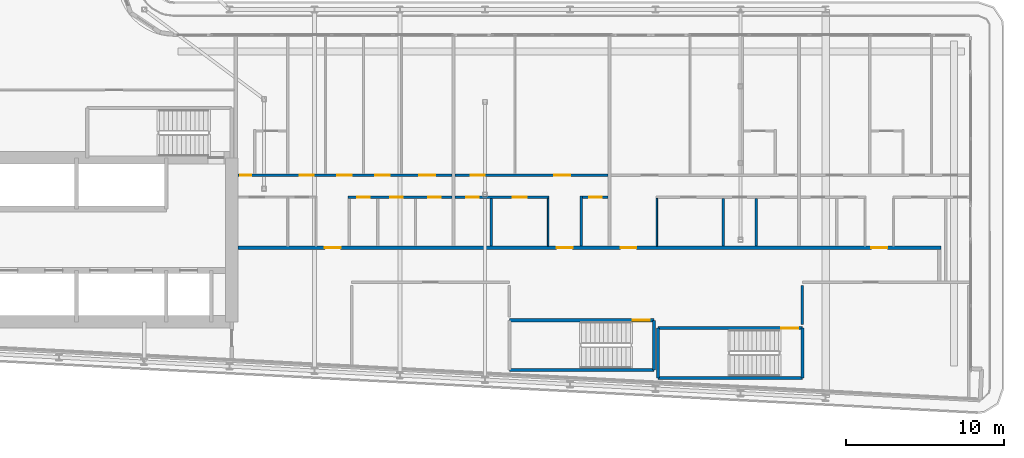
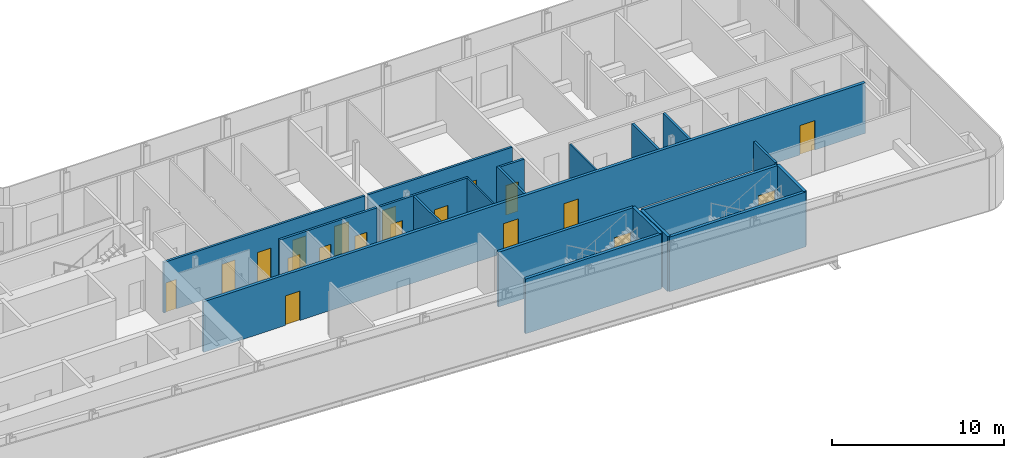
# One storey, part 18 of 30: 20 walls, 19 doors, 19 openings.
"""IFC4 building model written with IfcOpenShell, lengths in metres."""

from ifc_helpers import new_model, si_unit, direction, frame, frame_2d, origin, place, context, subcontext, project, spatial, rectangle, extrude, source, transform, mapped, material, layer, layer_set, type_object, element, fill, save


model = new_model("IFC4")

# Units and contexts
model_context = context("Model", 3, precision=1e-05, world=origin(), true_north=direction((0.0, 1.0)))
body_context = subcontext(model_context, "Body", "Model", "MODEL_VIEW")
ifc_project = project(units=[si_unit("LENGTHUNIT", "METRE"), si_unit("AREAUNIT", "SQUARE_METRE"), si_unit("VOLUMEUNIT", "CUBIC_METRE"), si_unit("PLANEANGLEUNIT", "RADIAN"), si_unit("MASSUNIT", "GRAM", prefix="KILO")], contexts=[model_context])

# Site, building, storey
site_placement = place(None, origin())
site = spatial("IfcSite", under=ifc_project, at=site_placement, CompositionType="ELEMENT")
building_placement = place(site_placement, origin())
building = spatial("IfcBuilding", under=site, at=building_placement, Name="Kheshtan School and Residences Tower", CompositionType="ELEMENT")
storey_placement = place(building_placement, frame((0.0, 0.0, 195.5)))
storey = spatial("IfcBuildingStorey", under=building, at=storey_placement, Name="L46", CompositionType="ELEMENT", Elevation=195.5)

# Wall, openings, doors
ifc_material_1 = material(Name="Gypsum board on steel studs with fire boards", Category="steel")
ifc_layer_1 = layer(ifc_material_1, 0.199951171875)
ifc_layer_set_1 = layer_set([ifc_layer_1], Name="Corridor wall 200")
wall_type_1 = type_object("IfcWallType", Name="Corridor wall 200", PredefinedType="PARTITIONING", material=ifc_layer_set_1)
wall_1_placement = place(storey_placement, frame((53.549072265625, 30.5, 0.0), z_axis=(0.0, 0.0, 1.0), x_axis=(1.0, 0.0, 0.0)))
wall_1 = element("IfcWall", 1, at=wall_1_placement, inside=storey, type_object=wall_type_1, Name="Partition L46-032", PredefinedType="PARTITIONING", context=body_context, shape_type="SweptSolid", body=[
    extrude(rectangle(XDim=44.551025390625, YDim=0.199951171875, at=frame_2d((22.275390625, 0.0))), origin(), (0.0, 0.0, 1.0), 3.60009765625),
])
opening_1_placement = place(wall_1_placement, frame((5.5009765625, 0.0, 0.0)))
opening_1 = element("IfcOpeningElement", 2, at=opening_1_placement, cuts=wall_1, Name="Opening D46-006", PredefinedType="OPENING", context=body_context, shape_type="SweptSolid", body=[
    extrude(rectangle(XDim=1.0, YDim=2.10009765625, at=frame_2d((0.5, 1.050048828125))), frame((0.0, 0.10986328125, 0.0), z_axis=(0.0, -1.0, 0.0), x_axis=(1.0, 0.0, 0.0)), (0.0, 0.0, 1.0), 0.219970703125),
])
opening_2_placement = place(wall_1_placement, frame((20.200927734375, 0.0, 0.0)))
opening_2 = element("IfcOpeningElement", 3, at=opening_2_placement, cuts=wall_1, Name="Opening D46-015", PredefinedType="OPENING", context=body_context, shape_type="SweptSolid", body=[
    extrude(rectangle(XDim=1.0, YDim=2.10009765625, at=frame_2d((0.5, 1.050048828125))), frame((0.0, 0.10986328125, 0.0), z_axis=(0.0, -1.0, 0.0), x_axis=(1.0, 0.0, 0.0)), (0.0, 0.0, 1.0), 0.219970703125),
])
opening_3_placement = place(wall_1_placement, frame((24.2509765625, 0.0, 0.0)))
opening_3 = element("IfcOpeningElement", 4, at=opening_3_placement, cuts=wall_1, Name="Opening D46-022", PredefinedType="OPENING", context=body_context, shape_type="SweptSolid", body=[
    extrude(rectangle(XDim=1.0, YDim=2.10009765625, at=frame_2d((0.5, 1.050048828125))), frame((0.0, 0.10986328125, 0.0), z_axis=(0.0, -1.0, 0.0), x_axis=(1.0, 0.0, 0.0)), (0.0, 0.0, 1.0), 0.219970703125),
])
opening_4_placement = place(wall_1_placement, frame((40.15087890625, 0.0, 0.0)))
opening_4 = element("IfcOpeningElement", 5, at=opening_4_placement, cuts=wall_1, Name="Opening D46-030", PredefinedType="OPENING", context=body_context, shape_type="SweptSolid", body=[
    extrude(rectangle(XDim=1.0, YDim=2.10009765625, at=frame_2d((0.5, 1.050048828125))), frame((0.0, 0.10986328125, 0.0), z_axis=(0.0, -1.0, 0.0), x_axis=(1.0, 0.0, 0.0)), (0.0, 0.0, 1.0), 0.219970703125),
])
ifc_material_2 = material(Name="Steel-framed fire-resisting door leaf", Category="steel")
door_type_1 = type_object("IfcDoorType", Name="Fire door FD30S 1000 x 2100", OperationType="SINGLE_SWING_LEFT", PredefinedType="DOOR", material=ifc_material_2)
shared_shape_1 = source(origin(), body_context, "Body", "SweptSolid", [
    extrude(rectangle(XDim=1.0, YDim=2.10009765625, at=frame_2d((0.5, 1.050048828125))), frame((0.0, 0.02490234375, 0.0), z_axis=(0.0, -1.0, 0.0), x_axis=(1.0, 0.0, 0.0)), (0.0, 0.0, 1.0), 0.050048828125),
])
door_1_placement = place(opening_1_placement, origin())
door_1 = element("IfcDoor", 6, at=door_1_placement, inside=storey, type_object=door_type_1, Name="Door D46-006", OperationType="SINGLE_SWING_LEFT", OverallHeight=2.10009765625, OverallWidth=1.0, PredefinedType="DOOR", context=body_context, shape_type="MappedRepresentation", body=[
    mapped(shared_shape_1, transform((0.0, 0.0, 0.0), x_axis=(1.0, 0.0, 0.0), y_axis=(0.0, 1.0, 0.0), z_axis=(0.0, 0.0, 1.0), scale=1.0)),
])
fill(opening_1, door_1)
door_2_placement = place(opening_2_placement, origin())
door_2 = element("IfcDoor", 7, at=door_2_placement, inside=storey, type_object=door_type_1, Name="Door D46-015", OperationType="SINGLE_SWING_RIGHT", OverallHeight=2.10009765625, OverallWidth=1.0, PredefinedType="DOOR", context=body_context, shape_type="MappedRepresentation", body=[
    mapped(shared_shape_1, transform((0.0, 0.0, 0.0), x_axis=(1.0, 0.0, 0.0), y_axis=(0.0, 1.0, 0.0), z_axis=(0.0, 0.0, 1.0), scale=1.0)),
])
fill(opening_2, door_2)
door_3_placement = place(opening_3_placement, origin())
door_3 = element("IfcDoor", 8, at=door_3_placement, inside=storey, type_object=door_type_1, Name="Door D46-022", OperationType="SINGLE_SWING_LEFT", OverallHeight=2.10009765625, OverallWidth=1.0, PredefinedType="DOOR", context=body_context, shape_type="MappedRepresentation", body=[
    mapped(shared_shape_1, transform((0.0, 0.0, 0.0), x_axis=(1.0, 0.0, 0.0), y_axis=(0.0, 1.0, 0.0), z_axis=(0.0, 0.0, 1.0), scale=1.0)),
])
fill(opening_3, door_3)
door_4_placement = place(opening_4_placement, origin())
door_4 = element("IfcDoor", 9, at=door_4_placement, inside=storey, type_object=door_type_1, Name="Door D46-030", OperationType="SINGLE_SWING_RIGHT", OverallHeight=2.10009765625, OverallWidth=1.0, PredefinedType="DOOR", context=body_context, shape_type="MappedRepresentation", body=[
    mapped(shared_shape_1, transform((0.0, 0.0, 0.0), x_axis=(1.0, 0.0, 0.0), y_axis=(0.0, 1.0, 0.0), z_axis=(0.0, 0.0, 1.0), scale=1.0)),
])
fill(opening_4, door_4)

# Walls
ifc_material_3 = material(Name="Gypsum board on steel studs", Category="steel")
ifc_layer_2 = layer(ifc_material_3, 0.10009765625)
ifc_layer_set_2 = layer_set([ifc_layer_2], Name="Gypsum partition 100")
wall_type_2 = type_object("IfcWallType", Name="Gypsum partition 100", PredefinedType="PARTITIONING", material=ifc_layer_set_2)
for number, where, z_axis, x_axis, name in (
    (10, (73.199951171875, 30.60009765625, 0.0), (0.0, 0.0, 1.0), (0.0, 1.0, 0.0), "Partition L46-052"),
    (11, (80.10009765625, 30.60009765625, 0.0), (0.0, 0.0, 1.0), (0.0, 1.0, 0.0), "Partition L46-058"),
):
    element("IfcWall", number, at=place(storey_placement, frame(where, z_axis=z_axis, x_axis=x_axis)), inside=storey, type_object=wall_type_2, Name=name, PredefinedType="PARTITIONING", context=body_context, shape_type="SweptSolid", body=[
        extrude(rectangle(XDim=3.02490234375, YDim=0.10009765625, at=frame_2d((1.512451171875, 0.0))), origin(), (0.0, 0.0, 1.0), 3.60009765625),
    ])
ifc_material_4 = material(Name="Fire-board shaft wall system")
ifc_layer_3 = layer(ifc_material_4, 0.14990234375)
ifc_layer_set_3 = layer_set([ifc_layer_3], Name="Service room wall 150")
wall_type_3 = type_object("IfcWallType", Name="Service room wall 150", PredefinedType="PARTITIONING", material=ifc_layer_set_3)
wall_2_placement = place(storey_placement, frame((89.320068359375, 25.6201171875, 0.0), z_axis=(0.0, 0.0, 1.0), x_axis=(0.0, 1.0, 0.0)))
element("IfcWall", 12, at=wall_2_placement, inside=storey, type_object=wall_type_3, Name="Service room wall", PredefinedType="PARTITIONING", context=body_context, shape_type="SweptSolid", body=[
    extrude(rectangle(XDim=2.48486328125, YDim=0.14990234375, at=frame_2d((1.242431640625, 0.0))), origin(), (0.0, 0.0, 1.0), 3.89990234375),
])
ifc_material_5 = material(Name="Concrete C40/50", Category="concrete")
ifc_layer_4 = layer(ifc_material_5, 0.199951171875)
ifc_layer_set_4 = layer_set([ifc_layer_4], Name="Stair enclosure wall 200 Concrete C40/50")
wall_type_4 = type_object("IfcWallType", Name="Stair enclosure wall 200 Concrete C40/50", PredefinedType="SHEAR", material=ifc_layer_set_4)
wall_3_placement = place(storey_placement, frame((80.159912109375, 22.25, 0.0), z_axis=(0.0, 0.0, 1.0), x_axis=(1.0, 0.0, 0.0)))
element("IfcWall", 13, at=wall_3_placement, inside=storey, type_object=wall_type_4, Name="Stair enclosure wall ST4", PredefinedType="SHEAR", context=body_context, shape_type="SweptSolid", body=[
    extrude(rectangle(XDim=9.16015625, YDim=0.199951171875, at=frame_2d((4.580078125, 0.0))), origin(), (0.0, 0.0, 1.0), 3.89990234375),
])

# Wall, opening, door
wall_4_placement = place(storey_placement, frame((80.159912109375, 25.39990234375, 0.0), z_axis=(0.0, 0.0, 1.0), x_axis=(1.0, 0.0, 0.0)))
wall_4 = element("IfcWall", 14, at=wall_4_placement, inside=storey, type_object=wall_type_4, Name="Stair enclosure wall ST4", PredefinedType="SHEAR", context=body_context, shape_type="SweptSolid", body=[
    extrude(rectangle(XDim=9.16015625, YDim=0.199951171875, at=frame_2d((4.580078125, 0.0))), origin(), (0.0, 0.0, 1.0), 3.89990234375),
])
opening_5_placement = place(wall_4_placement, frame((7.81005859375, 0.0, 0.0)))
opening_5 = element("IfcOpeningElement", 15, at=opening_5_placement, cuts=wall_4, Name="Opening ST4D", PredefinedType="OPENING", context=body_context, shape_type="SweptSolid", body=[
    extrude(rectangle(XDim=1.10009765625, YDim=2.199951171875, at=frame_2d((0.550048828125, 1.10009765625))), frame((0.0, 0.10986328125, 0.0), z_axis=(0.0, -1.0, 0.0), x_axis=(1.0, 0.0, 0.0)), (0.0, 0.0, 1.0), 0.219970703125),
])
ifc_material_6 = material(Name="Steel door leaf, galvanised", Category="steel")
door_type_2 = type_object("IfcDoorType", Name="Stair door 1100 steel 90 min", OperationType="SINGLE_SWING_LEFT", PredefinedType="DOOR", material=ifc_material_6)
shared_shape_2 = source(origin(), body_context, "Body", "SweptSolid", [
    extrude(rectangle(XDim=1.10009765625, YDim=2.199951171875, at=frame_2d((0.550048828125, 1.10009765625))), frame((0.0, 0.02490234375, 0.0), z_axis=(0.0, -1.0, 0.0), x_axis=(1.0, 0.0, 0.0)), (0.0, 0.0, 1.0), 0.050048828125),
])
door_5_placement = place(opening_5_placement, origin())
door_5 = element("IfcDoor", 16, at=door_5_placement, inside=storey, type_object=door_type_2, Name="Stair ST4 door", OperationType="SINGLE_SWING_LEFT", OverallHeight=2.199951171875, OverallWidth=1.10009765625, PredefinedType="DOOR", context=body_context, shape_type="MappedRepresentation", body=[
    mapped(shared_shape_2, transform((0.0, 0.0, 0.0), x_axis=(1.0, 0.0, 0.0), y_axis=(0.0, 1.0, 0.0), z_axis=(0.0, 0.0, 1.0), scale=1.0)),
])
fill(opening_5, door_5)

# Walls
for number, where, z_axis, x_axis, name in (
    (17, (80.159912109375, 22.25, 0.0), (0.0, 0.0, 1.0), (0.0, 1.0, 0.0), "Stair enclosure wall ST4"),
    (18, (89.320068359375, 22.25, 0.0), (0.0, 0.0, 1.0), (0.0, 1.0, 0.0), "Stair enclosure wall ST4"),
):
    element("IfcWall", number, at=place(storey_placement, frame(where, z_axis=z_axis, x_axis=x_axis)), inside=storey, type_object=wall_type_4, Name=name, PredefinedType="SHEAR", context=body_context, shape_type="SweptSolid", body=[
        extrude(rectangle(XDim=3.14990234375, YDim=0.199951171875, at=frame_2d((1.574951171875, 0.0))), origin(), (0.0, 0.0, 1.0), 3.89990234375),
    ])
wall_5_placement = place(storey_placement, frame((70.75, 22.75, 0.0), z_axis=(0.0, 0.0, 1.0), x_axis=(1.0, 0.0, 0.0)))
element("IfcWall", 19, at=wall_5_placement, inside=storey, type_object=wall_type_4, Name="Stair enclosure wall ST5", PredefinedType="SHEAR", context=body_context, shape_type="SweptSolid", body=[
    extrude(rectangle(XDim=9.159912109375, YDim=0.199951171875, at=frame_2d((4.580078125, 0.0))), origin(), (0.0, 0.0, 1.0), 3.89990234375),
])

# Wall, opening, door
wall_6_placement = place(storey_placement, frame((70.75, 25.89990234375, 0.0), z_axis=(0.0, 0.0, 1.0), x_axis=(1.0, 0.0, 0.0)))
wall_6 = element("IfcWall", 20, at=wall_6_placement, inside=storey, type_object=wall_type_4, Name="Stair enclosure wall ST5", PredefinedType="SHEAR", context=body_context, shape_type="SweptSolid", body=[
    extrude(rectangle(XDim=9.159912109375, YDim=0.199951171875, at=frame_2d((4.580078125, 0.0))), origin(), (0.0, 0.0, 1.0), 3.89990234375),
])
opening_6_placement = place(wall_6_placement, frame((7.81005859375, 0.0, 0.0)))
opening_6 = element("IfcOpeningElement", 21, at=opening_6_placement, cuts=wall_6, Name="Opening ST5D", PredefinedType="OPENING", context=body_context, shape_type="SweptSolid", body=[
    extrude(rectangle(XDim=1.10009765625, YDim=2.199951171875, at=frame_2d((0.550048828125, 1.10009765625))), frame((0.0, 0.10986328125, 0.0), z_axis=(0.0, -1.0, 0.0), x_axis=(1.0, 0.0, 0.0)), (0.0, 0.0, 1.0), 0.219970703125),
])
door_6_placement = place(opening_6_placement, origin())
door_6 = element("IfcDoor", 22, at=door_6_placement, inside=storey, type_object=door_type_2, Name="Stair ST5 door", OperationType="SINGLE_SWING_LEFT", OverallHeight=2.199951171875, OverallWidth=1.10009765625, PredefinedType="DOOR", context=body_context, shape_type="MappedRepresentation", body=[
    mapped(shared_shape_2, transform((0.0, 0.0, 0.0), x_axis=(1.0, 0.0, 0.0), y_axis=(0.0, 1.0, 0.0), z_axis=(0.0, 0.0, 1.0), scale=1.0)),
])
fill(opening_6, door_6)

# Wall
wall_7_placement = place(storey_placement, frame((79.909912109375, 22.75, 0.0), z_axis=(0.0, 0.0, 1.0), x_axis=(0.0, 1.0, 0.0)))
element("IfcWall", 23, at=wall_7_placement, inside=storey, type_object=wall_type_4, Name="Stair enclosure wall ST5", PredefinedType="SHEAR", context=body_context, shape_type="SweptSolid", body=[
    extrude(rectangle(XDim=3.14990234375, YDim=0.199951171875, at=frame_2d((1.574951171875, 0.0))), origin(), (0.0, 0.0, 1.0), 3.89990234375),
])

# Wall, openings, doors
ifc_material_7 = material(Name="Moisture-resistant gypsum board on steel studs", Category="steel")
ifc_layer_5 = layer(ifc_material_7, 0.14990234375)
ifc_layer_set_5 = layer_set([ifc_layer_5], Name="Wet-room partition 150")
wall_type_5 = type_object("IfcWallType", Name="Wet-room partition 150", PredefinedType="PARTITIONING", material=ifc_layer_set_5)
wall_8_placement = place(storey_placement, frame((53.549072265625, 35.10009765625, 0.0), z_axis=(0.0, 0.0, 1.0), x_axis=(1.0, 0.0, 0.0)))
wall_8 = element("IfcWall", 24, at=wall_8_placement, inside=storey, type_object=wall_type_5, Name="Partition L46-034", PredefinedType="PARTITIONING", context=body_context, shape_type="SweptSolid", body=[
    extrude(rectangle(XDim=13.551025390625, YDim=0.14990234375, at=frame_2d((6.775390625, 0.0))), origin(), (0.0, 0.0, 1.0), 3.60009765625),
])
opening_7_placement = place(wall_8_placement, frame((3.90087890625, 0.0, 0.0)))
opening_7 = element("IfcOpeningElement", 25, at=opening_7_placement, cuts=wall_8, Name="Opening D46-003", PredefinedType="OPENING", context=body_context, shape_type="SweptSolid", body=[
    extrude(rectangle(XDim=0.89990234375, YDim=2.10009765625, at=frame_2d((0.449951171875, 1.050048828125))), frame((0.0, 0.0849609375, 0.0), z_axis=(0.0, -1.0, 0.0), x_axis=(1.0, 0.0, 0.0)), (0.0, 0.0, 1.0), 0.169921875),
])
opening_8_placement = place(wall_8_placement, frame((8.700927734375, 0.0, 0.0)))
opening_8 = element("IfcOpeningElement", 26, at=opening_8_placement, cuts=wall_8, Name="Opening D46-004", PredefinedType="OPENING", context=body_context, shape_type="SweptSolid", body=[
    extrude(rectangle(XDim=0.89990234375, YDim=2.10009765625, at=frame_2d((0.449951171875, 1.050048828125))), frame((0.0, 0.0849609375, 0.0), z_axis=(0.0, -1.0, 0.0), x_axis=(1.0, 0.0, 0.0)), (0.0, 0.0, 1.0), 0.169921875),
])
opening_9_placement = place(wall_8_placement, frame((11.5009765625, 0.0, 0.0)))
opening_9 = element("IfcOpeningElement", 27, at=opening_9_placement, cuts=wall_8, Name="Opening D46-008", PredefinedType="OPENING", context=body_context, shape_type="SweptSolid", body=[
    extrude(rectangle(XDim=1.0, YDim=2.10009765625, at=frame_2d((0.5, 1.050048828125))), frame((0.0, 0.0849609375, 0.0), z_axis=(0.0, -1.0, 0.0), x_axis=(1.0, 0.0, 0.0)), (0.0, 0.0, 1.0), 0.169921875),
])
opening_10_placement = place(wall_8_placement, frame((6.301025390625, 0.0, 0.0)))
opening_10 = element("IfcOpeningElement", 28, at=opening_10_placement, cuts=wall_8, Name="Opening D46-009", PredefinedType="OPENING", context=body_context, shape_type="SweptSolid", body=[
    extrude(rectangle(XDim=0.89990234375, YDim=2.10009765625, at=frame_2d((0.449951171875, 1.050048828125))), frame((0.0, 0.0849609375, 0.0), z_axis=(0.0, -1.0, 0.0), x_axis=(1.0, 0.0, 0.0)), (0.0, 0.0, 1.0), 0.169921875),
])
opening_11_placement = place(wall_8_placement, frame((0.14990234375, 0.0, 0.0)))
opening_11 = element("IfcOpeningElement", 29, at=opening_11_placement, cuts=wall_8, Name="Opening D46-010", PredefinedType="OPENING", context=body_context, shape_type="SweptSolid", body=[
    extrude(rectangle(XDim=0.699951171875, YDim=2.10009765625, at=frame_2d((0.35009765625, 1.050048828125))), frame((0.0, 0.0849609375, 0.0), z_axis=(0.0, -1.0, 0.0), x_axis=(1.0, 0.0, 0.0)), (0.0, 0.0, 1.0), 0.169921875),
])
ifc_material_8 = material(Name="Veneered timber door leaf", Category="wood")
door_type_3 = type_object("IfcDoorType", Name="Door 1000 x 2100", OperationType="SINGLE_SWING_LEFT", PredefinedType="DOOR", material=ifc_material_8)
shared_shape_3 = source(origin(), body_context, "Body", "SweptSolid", [
    extrude(rectangle(XDim=1.0, YDim=2.10009765625, at=frame_2d((0.5, 1.050048828125))), frame((0.0, 0.02490234375, 0.0), z_axis=(0.0, -1.0, 0.0), x_axis=(1.0, 0.0, 0.0)), (0.0, 0.0, 1.0), 0.050048828125),
])
door_7_placement = place(opening_9_placement, origin())
door_7 = element("IfcDoor", 30, at=door_7_placement, inside=storey, type_object=door_type_3, Name="Door D46-008", OperationType="SINGLE_SWING_LEFT", OverallHeight=2.10009765625, OverallWidth=1.0, PredefinedType="DOOR", context=body_context, shape_type="MappedRepresentation", body=[
    mapped(shared_shape_3, transform((0.0, 0.0, 0.0), x_axis=(1.0, 0.0, 0.0), y_axis=(0.0, 1.0, 0.0), z_axis=(0.0, 0.0, 1.0), scale=1.0)),
])
fill(opening_9, door_7)
door_type_4 = type_object("IfcDoorType", Name="Door 900 x 2100", OperationType="SINGLE_SWING_LEFT", PredefinedType="DOOR", material=ifc_material_8)
shared_shape_4 = source(origin(), body_context, "Body", "SweptSolid", [
    extrude(rectangle(XDim=0.89990234375, YDim=2.10009765625, at=frame_2d((0.449951171875, 1.050048828125))), frame((0.0, 0.02490234375, 0.0), z_axis=(0.0, -1.0, 0.0), x_axis=(1.0, 0.0, 0.0)), (0.0, 0.0, 1.0), 0.050048828125),
])
door_8_placement = place(opening_7_placement, origin())
door_8 = element("IfcDoor", 31, at=door_8_placement, inside=storey, type_object=door_type_4, Name="Door D46-003", OperationType="SINGLE_SWING_LEFT", OverallHeight=2.10009765625, OverallWidth=0.89990234375, PredefinedType="DOOR", context=body_context, shape_type="MappedRepresentation", body=[
    mapped(shared_shape_4, transform((0.0, 0.0, 0.0), x_axis=(1.0, 0.0, 0.0), y_axis=(0.0, 1.0, 0.0), z_axis=(0.0, 0.0, 1.0), scale=1.0)),
])
fill(opening_7, door_8)
door_9_placement = place(opening_8_placement, origin())
door_9 = element("IfcDoor", 32, at=door_9_placement, inside=storey, type_object=door_type_4, Name="Door D46-004", OperationType="SINGLE_SWING_LEFT", OverallHeight=2.10009765625, OverallWidth=0.89990234375, PredefinedType="DOOR", context=body_context, shape_type="MappedRepresentation", body=[
    mapped(shared_shape_4, transform((0.0, 0.0, 0.0), x_axis=(1.0, 0.0, 0.0), y_axis=(0.0, 1.0, 0.0), z_axis=(0.0, 0.0, 1.0), scale=1.0)),
])
fill(opening_8, door_9)
door_10_placement = place(opening_10_placement, origin())
door_10 = element("IfcDoor", 33, at=door_10_placement, inside=storey, type_object=door_type_4, Name="Door D46-009", OperationType="SINGLE_SWING_LEFT", OverallHeight=2.10009765625, OverallWidth=0.89990234375, PredefinedType="DOOR", context=body_context, shape_type="MappedRepresentation", body=[
    mapped(shared_shape_4, transform((0.0, 0.0, 0.0), x_axis=(1.0, 0.0, 0.0), y_axis=(0.0, 1.0, 0.0), z_axis=(0.0, 0.0, 1.0), scale=1.0)),
])
fill(opening_10, door_10)
door_type_5 = type_object("IfcDoorType", Name="Door 700 x 2100", OperationType="SINGLE_SWING_LEFT", PredefinedType="DOOR", material=ifc_material_8)
shared_shape_5 = source(origin(), body_context, "Body", "SweptSolid", [
    extrude(rectangle(XDim=0.699951171875, YDim=2.10009765625, at=frame_2d((0.35009765625, 1.050048828125))), frame((0.0, 0.02490234375, 0.0), z_axis=(0.0, -1.0, 0.0), x_axis=(1.0, 0.0, 0.0)), (0.0, 0.0, 1.0), 0.050048828125),
])
door_11_placement = place(opening_11_placement, origin())
door_11 = element("IfcDoor", 34, at=door_11_placement, inside=storey, type_object=door_type_5, Name="Door D46-010", OperationType="SINGLE_SWING_RIGHT", OverallHeight=2.10009765625, OverallWidth=0.699951171875, PredefinedType="DOOR", context=body_context, shape_type="MappedRepresentation", body=[
    mapped(shared_shape_5, transform((0.0, 0.0, 0.0), x_axis=(1.0, 0.0, 0.0), y_axis=(0.0, 1.0, 0.0), z_axis=(0.0, 0.0, 1.0), scale=1.0)),
])
fill(opening_11, door_11)

wall_9_placement = place(storey_placement, frame((60.52490234375, 33.699951171875, 0.0), z_axis=(0.0, 0.0, 1.0), x_axis=(1.0, 0.0, 0.0)))
wall_9 = element("IfcWall", 35, at=wall_9_placement, inside=storey, type_object=wall_type_5, Name="Partition L46-041", PredefinedType="PARTITIONING", context=body_context, shape_type="SweptSolid", body=[
    extrude(rectangle(XDim=6.5751953125, YDim=0.14990234375, at=frame_2d((3.28759765625, 0.0))), origin(), (0.0, 0.0, 1.0), 3.60009765625),
])
opening_12_placement = place(wall_9_placement, frame((2.675048828125, 0.0, 0.0)))
opening_12 = element("IfcOpeningElement", 36, at=opening_12_placement, cuts=wall_9, Name="Opening D46-001", PredefinedType="OPENING", context=body_context, shape_type="SweptSolid", body=[
    extrude(rectangle(XDim=0.800048828125, YDim=2.10009765625, at=frame_2d((0.39990234375, 1.050048828125))), frame((0.0, 0.0849609375, 0.0), z_axis=(0.0, -1.0, 0.0), x_axis=(1.0, 0.0, 0.0)), (0.0, 0.0, 1.0), 0.169921875),
])
opening_13_placement = place(wall_9_placement, frame((5.074951171875, 0.0, 0.0)))
opening_13 = element("IfcOpeningElement", 37, at=opening_13_placement, cuts=wall_9, Name="Opening D46-002", PredefinedType="OPENING", context=body_context, shape_type="SweptSolid", body=[
    extrude(rectangle(XDim=0.800048828125, YDim=2.10009765625, at=frame_2d((0.39990234375, 1.050048828125))), frame((0.0, 0.0849609375, 0.0), z_axis=(0.0, -1.0, 0.0), x_axis=(1.0, 0.0, 0.0)), (0.0, 0.0, 1.0), 0.169921875),
])
opening_14_placement = place(wall_9_placement, frame((0.574951171875, 0.0, 0.0)))
opening_14 = element("IfcOpeningElement", 38, at=opening_14_placement, cuts=wall_9, Name="Opening D46-012", PredefinedType="OPENING", context=body_context, shape_type="SweptSolid", body=[
    extrude(rectangle(XDim=0.800048828125, YDim=2.10009765625, at=frame_2d((0.39990234375, 1.050048828125))), frame((0.0, 0.0849609375, 0.0), z_axis=(0.0, -1.0, 0.0), x_axis=(1.0, 0.0, 0.0)), (0.0, 0.0, 1.0), 0.169921875),
])
door_type_6 = type_object("IfcDoorType", Name="Door 800 x 2100", OperationType="SINGLE_SWING_LEFT", PredefinedType="DOOR", material=ifc_material_8)
shared_shape_6 = source(origin(), body_context, "Body", "SweptSolid", [
    extrude(rectangle(XDim=0.800048828125, YDim=2.10009765625, at=frame_2d((0.39990234375, 1.050048828125))), frame((0.0, 0.02490234375, 0.0), z_axis=(0.0, -1.0, 0.0), x_axis=(1.0, 0.0, 0.0)), (0.0, 0.0, 1.0), 0.050048828125),
])
door_12_placement = place(opening_12_placement, origin())
door_12 = element("IfcDoor", 39, at=door_12_placement, inside=storey, type_object=door_type_6, Name="Door D46-001", OperationType="SINGLE_SWING_RIGHT", OverallHeight=2.10009765625, OverallWidth=0.800048828125, PredefinedType="DOOR", context=body_context, shape_type="MappedRepresentation", body=[
    mapped(shared_shape_6, transform((0.0, 0.0, 0.0), x_axis=(1.0, 0.0, 0.0), y_axis=(0.0, 1.0, 0.0), z_axis=(0.0, 0.0, 1.0), scale=1.0)),
])
fill(opening_12, door_12)
door_13_placement = place(opening_13_placement, origin())
door_13 = element("IfcDoor", 40, at=door_13_placement, inside=storey, type_object=door_type_6, Name="Door D46-002", OperationType="SINGLE_SWING_RIGHT", OverallHeight=2.10009765625, OverallWidth=0.800048828125, PredefinedType="DOOR", context=body_context, shape_type="MappedRepresentation", body=[
    mapped(shared_shape_6, transform((0.0, 0.0, 0.0), x_axis=(1.0, 0.0, 0.0), y_axis=(0.0, 1.0, 0.0), z_axis=(0.0, 0.0, 1.0), scale=1.0)),
])
fill(opening_13, door_13)
door_14_placement = place(opening_14_placement, origin())
door_14 = element("IfcDoor", 41, at=door_14_placement, inside=storey, type_object=door_type_6, Name="Door D46-012", OperationType="SINGLE_SWING_LEFT", OverallHeight=2.10009765625, OverallWidth=0.800048828125, PredefinedType="DOOR", context=body_context, shape_type="MappedRepresentation", body=[
    mapped(shared_shape_6, transform((0.0, 0.0, 0.0), x_axis=(1.0, 0.0, 0.0), y_axis=(0.0, 1.0, 0.0), z_axis=(0.0, 0.0, 1.0), scale=1.0)),
])
fill(opening_14, door_14)

wall_10_placement = place(storey_placement, frame((67.300048828125, 33.699951171875, 0.0), z_axis=(0.0, 0.0, 1.0), x_axis=(1.0, 0.0, 0.0)))
wall_10 = element("IfcWall", 42, at=wall_10_placement, inside=storey, type_object=wall_type_5, Name="Partition L46-048", PredefinedType="PARTITIONING", context=body_context, shape_type="SweptSolid", body=[
    extrude(rectangle(XDim=5.949951171875, YDim=0.14990234375, at=frame_2d((2.97509765625, 0.0))), origin(), (0.0, 0.0, 1.0), 3.60009765625),
])
opening_15_placement = place(wall_10_placement, frame((0.699951171875, 0.0, 0.0)))
opening_15 = element("IfcOpeningElement", 43, at=opening_15_placement, cuts=wall_10, Name="Opening D46-013", PredefinedType="OPENING", context=body_context, shape_type="SweptSolid", body=[
    extrude(rectangle(XDim=0.800048828125, YDim=2.10009765625, at=frame_2d((0.39990234375, 1.050048828125))), frame((0.0, 0.0849609375, 0.0), z_axis=(0.0, -1.0, 0.0), x_axis=(1.0, 0.0, 0.0)), (0.0, 0.0, 1.0), 0.169921875),
])
opening_16_placement = place(wall_10_placement, frame((3.64990234375, 0.0, 0.0)))
opening_16 = element("IfcOpeningElement", 44, at=opening_16_placement, cuts=wall_10, Name="Opening D46-016", PredefinedType="OPENING", context=body_context, shape_type="SweptSolid", body=[
    extrude(rectangle(XDim=0.89990234375, YDim=2.10009765625, at=frame_2d((0.449951171875, 1.050048828125))), frame((0.0, 0.0849609375, 0.0), z_axis=(0.0, -1.0, 0.0), x_axis=(1.0, 0.0, 0.0)), (0.0, 0.0, 1.0), 0.169921875),
])
door_15_placement = place(opening_15_placement, origin())
door_15 = element("IfcDoor", 45, at=door_15_placement, inside=storey, type_object=door_type_6, Name="Door D46-013", OperationType="SINGLE_SWING_RIGHT", OverallHeight=2.10009765625, OverallWidth=0.800048828125, PredefinedType="DOOR", context=body_context, shape_type="MappedRepresentation", body=[
    mapped(shared_shape_6, transform((0.0, 0.0, 0.0), x_axis=(1.0, 0.0, 0.0), y_axis=(0.0, 1.0, 0.0), z_axis=(0.0, 0.0, 1.0), scale=1.0)),
])
fill(opening_15, door_15)
door_16_placement = place(opening_16_placement, origin())
door_16 = element("IfcDoor", 46, at=door_16_placement, inside=storey, type_object=door_type_4, Name="Door D46-016", OperationType="SINGLE_SWING_LEFT", OverallHeight=2.10009765625, OverallWidth=0.89990234375, PredefinedType="DOOR", context=body_context, shape_type="MappedRepresentation", body=[
    mapped(shared_shape_4, transform((0.0, 0.0, 0.0), x_axis=(1.0, 0.0, 0.0), y_axis=(0.0, 1.0, 0.0), z_axis=(0.0, 0.0, 1.0), scale=1.0)),
])
fill(opening_16, door_16)

wall_11_placement = place(storey_placement, frame((67.300048828125, 35.10009765625, 0.0), z_axis=(0.0, 0.0, 1.0), x_axis=(1.0, 0.0, 0.0)))
wall_11 = element("IfcWall", 47, at=wall_11_placement, inside=storey, type_object=wall_type_5, Name="Partition L46-049", PredefinedType="PARTITIONING", context=body_context, shape_type="SweptSolid", body=[
    extrude(rectangle(XDim=9.699951171875, YDim=0.14990234375, at=frame_2d((4.85009765625, 0.0))), origin(), (0.0, 0.0, 1.0), 3.60009765625),
])
opening_17_placement = place(wall_11_placement, frame((1.0, 0.0, 0.0)))
opening_17 = element("IfcOpeningElement", 48, at=opening_17_placement, cuts=wall_11, Name="Opening D46-014", PredefinedType="OPENING", context=body_context, shape_type="SweptSolid", body=[
    extrude(rectangle(XDim=0.89990234375, YDim=2.10009765625, at=frame_2d((0.449951171875, 1.050048828125))), frame((0.0, 0.0849609375, 0.0), z_axis=(0.0, -1.0, 0.0), x_axis=(1.0, 0.0, 0.0)), (0.0, 0.0, 1.0), 0.169921875),
])
opening_18_placement = place(wall_11_placement, frame((6.300048828125, 0.0, 0.0)))
opening_18 = element("IfcOpeningElement", 49, at=opening_18_placement, cuts=wall_11, Name="Opening D46-017", PredefinedType="OPENING", context=body_context, shape_type="SweptSolid", body=[
    extrude(rectangle(XDim=1.0, YDim=2.10009765625, at=frame_2d((0.5, 1.050048828125))), frame((0.0, 0.0849609375, 0.0), z_axis=(0.0, -1.0, 0.0), x_axis=(1.0, 0.0, 0.0)), (0.0, 0.0, 1.0), 0.169921875),
])
door_17_placement = place(opening_18_placement, origin())
door_17 = element("IfcDoor", 50, at=door_17_placement, inside=storey, type_object=door_type_3, Name="Door D46-017", OperationType="SINGLE_SWING_RIGHT", OverallHeight=2.10009765625, OverallWidth=1.0, PredefinedType="DOOR", context=body_context, shape_type="MappedRepresentation", body=[
    mapped(shared_shape_3, transform((0.0, 0.0, 0.0), x_axis=(1.0, 0.0, 0.0), y_axis=(0.0, 1.0, 0.0), z_axis=(0.0, 0.0, 1.0), scale=1.0)),
])
fill(opening_18, door_17)
door_18_placement = place(opening_17_placement, origin())
door_18 = element("IfcDoor", 51, at=door_18_placement, inside=storey, type_object=door_type_4, Name="Door D46-014", OperationType="SINGLE_SWING_RIGHT", OverallHeight=2.10009765625, OverallWidth=0.89990234375, PredefinedType="DOOR", context=body_context, shape_type="MappedRepresentation", body=[
    mapped(shared_shape_4, transform((0.0, 0.0, 0.0), x_axis=(1.0, 0.0, 0.0), y_axis=(0.0, 1.0, 0.0), z_axis=(0.0, 0.0, 1.0), scale=1.0)),
])
fill(opening_17, door_18)

# Walls
wall_12_placement = place(storey_placement, frame((69.60009765625, 30.60009765625, 0.0), z_axis=(0.0, 0.0, 1.0), x_axis=(0.0, 1.0, 0.0)))
element("IfcWall", 52, at=wall_12_placement, inside=storey, type_object=wall_type_5, Name="Partition L46-050", PredefinedType="PARTITIONING", context=body_context, shape_type="SweptSolid", body=[
    extrude(rectangle(XDim=3.02490234375, YDim=0.14990234375, at=frame_2d((1.512451171875, 0.0))), origin(), (0.0, 0.0, 1.0), 3.60009765625),
])
wall_13_placement = place(storey_placement, frame((75.300048828125, 30.60009765625, 0.0), z_axis=(0.0, 0.0, 1.0), x_axis=(0.0, 1.0, 0.0)))
element("IfcWall", 53, at=wall_13_placement, inside=storey, type_object=wall_type_5, Name="Partition L46-053", PredefinedType="PARTITIONING", context=body_context, shape_type="SweptSolid", body=[
    extrude(rectangle(XDim=3.1748046875, YDim=0.14990234375, at=frame_2d((1.58740234375, 0.0))), origin(), (0.0, 0.0, 1.0), 3.60009765625),
])

# Wall, opening, door
wall_14_placement = place(storey_placement, frame((75.375, 33.699951171875, 0.0), z_axis=(0.0, 0.0, 1.0), x_axis=(1.0, 0.0, 0.0)))
wall_14 = element("IfcWall", 54, at=wall_14_placement, inside=storey, type_object=wall_type_5, Name="Partition L46-054", PredefinedType="PARTITIONING", context=body_context, shape_type="SweptSolid", body=[
    extrude(rectangle(XDim=1.625, YDim=0.14990234375, at=frame_2d((0.8125, 0.0))), origin(), (0.0, 0.0, 1.0), 3.60009765625),
])
opening_19_placement = place(wall_14_placement, frame((0.425048828125, 0.0, 0.0)))
opening_19 = element("IfcOpeningElement", 55, at=opening_19_placement, cuts=wall_14, Name="Opening D46-018", PredefinedType="OPENING", context=body_context, shape_type="SweptSolid", body=[
    extrude(rectangle(XDim=0.800048828125, YDim=2.10009765625, at=frame_2d((0.39990234375, 1.050048828125))), frame((0.0, 0.0849609375, 0.0), z_axis=(0.0, -1.0, 0.0), x_axis=(1.0, 0.0, 0.0)), (0.0, 0.0, 1.0), 0.169921875),
])
door_19_placement = place(opening_19_placement, origin())
door_19 = element("IfcDoor", 56, at=door_19_placement, inside=storey, type_object=door_type_6, Name="Door D46-018", OperationType="SINGLE_SWING_LEFT", OverallHeight=2.10009765625, OverallWidth=0.800048828125, PredefinedType="DOOR", context=body_context, shape_type="MappedRepresentation", body=[
    mapped(shared_shape_6, transform((0.0, 0.0, 0.0), x_axis=(1.0, 0.0, 0.0), y_axis=(0.0, 1.0, 0.0), z_axis=(0.0, 0.0, 1.0), scale=1.0)),
])
fill(opening_19, door_19)

# Walls
for number, where, z_axis, x_axis, name in (
    (57, (84.300048828125, 30.60009765625, 0.0), (0.0, 0.0, 1.0), (0.0, 1.0, 0.0), "Partition L46-060"),
    (58, (86.39990234375, 30.60009765625, 0.0), (0.0, 0.0, 1.0), (0.0, 1.0, 0.0), "Partition L46-063"),
):
    element("IfcWall", number, at=place(storey_placement, frame(where, z_axis=z_axis, x_axis=x_axis)), inside=storey, type_object=wall_type_5, Name=name, PredefinedType="PARTITIONING", context=body_context, shape_type="SweptSolid", body=[
        extrude(rectangle(XDim=3.02490234375, YDim=0.14990234375, at=frame_2d((1.512451171875, 0.0))), origin(), (0.0, 0.0, 1.0), 3.60009765625),
    ])

save(model, "model.ifc")
